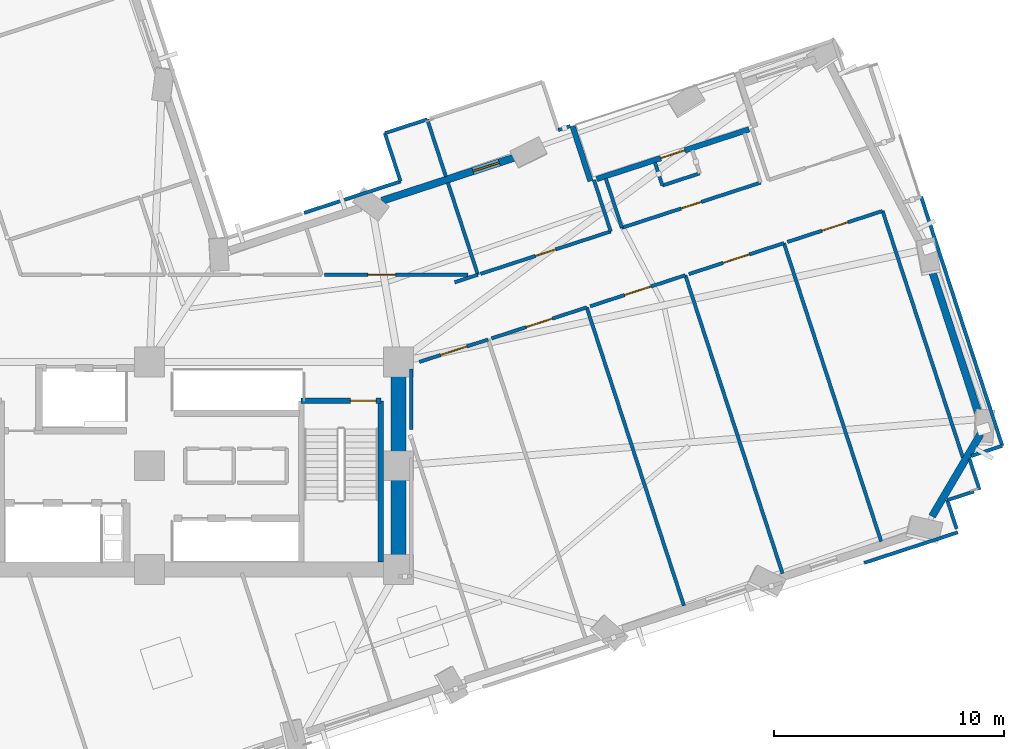
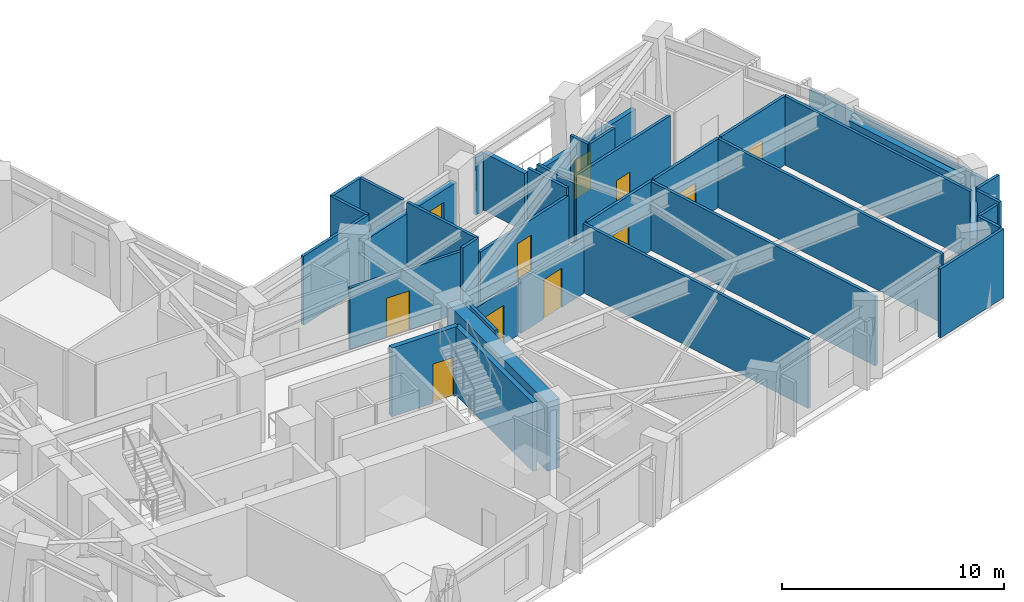
# One storey, part 9 of 16: 38 walls, 10 doors, 1 window, 11 openings.
"""IFC4 building model written with IfcOpenShell, lengths in metres."""

from ifc_helpers import new_model, si_unit, direction, frame, frame_2d, origin, place, context, subcontext, project, spatial, rectangle, extrude, material, layer, layer_set, type_object, element, fill, save


model = new_model("IFC4")

# Units and contexts
model_context = context("Model", 3, precision=1e-05, world=origin(), true_north=direction((0.0, 1.0)))
body_context = subcontext(model_context, "Body", "Model", "MODEL_VIEW")
ifc_project = project(units=[si_unit("LENGTHUNIT", "METRE"), si_unit("AREAUNIT", "SQUARE_METRE"), si_unit("VOLUMEUNIT", "CUBIC_METRE"), si_unit("PLANEANGLEUNIT", "RADIAN"), si_unit("MASSUNIT", "GRAM", prefix="KILO")], contexts=[model_context])

# Site, building, storey
site_placement = place(None, origin())
site = spatial("IfcSite", under=ifc_project, at=site_placement, CompositionType="ELEMENT")
building_placement = place(site_placement, origin())
building = spatial("IfcBuilding", under=site, at=building_placement, Name="Gaonmaruhae Medical Tower", CompositionType="ELEMENT")
storey_placement = place(building_placement, frame((0.0, 0.0, 100.39990234375)))
storey = spatial("IfcBuildingStorey", under=building, at=storey_placement, Name="L23", CompositionType="ELEMENT", Elevation=100.39990234375)

# Wall
ifc_material_1 = material(Name="Concrete C60/75", Category="concrete")
ifc_layer_1 = layer(ifc_material_1, 0.64990234375)
ifc_layer_set_1 = layer_set([ifc_layer_1], Name="Concrete C60/75")
wall_type_1 = type_object("IfcWallType", Name="CW-650 Zone 2 Core Shear Wall", PredefinedType="SHEAR", material=ifc_layer_set_1)
wall_1_placement = place(storey_placement, frame((35.60009765625, 7.800048828125, 0.0), z_axis=(0.0, 0.0, 1.0), x_axis=(0.0, 1.0, 0.0)))
element("IfcWall", 1, at=wall_1_placement, inside=storey, type_object=wall_type_1, Name="L23 Core Shear Wall CSW-E1", PredefinedType="SHEAR", context=body_context, shape_type="SweptSolid", body=[
    extrude(rectangle(XDim=9.0, YDim=0.64990234375, at=frame_2d((4.5, 0.0))), origin(), (0.0, 0.0, 1.0), 3.780029296875),
])

# Wall, opening, door
ifc_material_2 = material(Name="Precast concrete C45/55", Category="concrete")
ifc_layer_2 = layer(ifc_material_2, 0.239990234375)
ifc_layer_set_2 = layer_set([ifc_layer_2], Name="Precast concrete C45/55")
wall_type_2 = type_object("IfcWallType", Name="EW-240 Ribbon & Shelter Insulated Precast Wall", PredefinedType="SOLIDWALL", material=ifc_layer_set_2)
wall_2_placement = place(storey_placement, frame((44.1884765625, 24.73779296875, 0.0), z_axis=(0.0, 0.0, 1.0), x_axis=(0.950787586952, 0.309843451597, 0.0)))
wall_2 = element("IfcWall", 2, at=wall_2_placement, inside=storey, type_object=wall_type_2, Name="L23 Recessed Terrace Enclosure Wall TERB", PredefinedType="SOLIDWALL", context=body_context, shape_type="SweptSolid", body=[
    extrude(rectangle(XDim=6.9599609375, YDim=0.239990234375, at=frame_2d((3.47998046875, 0.0))), origin(), (0.0, 0.0, 1.0), 2.945068359375),
])
opening_1_placement = place(wall_2_placement, frame((2.929931640625, 0.0, 0.0)))
opening_1 = element("IfcOpeningElement", 3, at=opening_1_placement, cuts=wall_2, Name="Opening TD-01", PredefinedType="OPENING", context=body_context, shape_type="SweptSolid", body=[
    extrude(rectangle(XDim=1.10009765625, YDim=2.14990234375, at=frame_2d((0.550048828125, 1.074951171875))), frame((0.0, 0.1298828125, 0.0), z_axis=(0.0, -1.0, 0.0), x_axis=(1.0, 0.0, 0.0)), (0.0, 0.0, 1.0), 0.260009765625),
])
ifc_material_3 = material(Name="Anodised aluminium and toughened safety glass", Category="aluminium")
door_type_1 = type_object("IfcDoorType", Name="TD-01 Terrace & Sky Garden Glazed Door 1100x2150", OperationType="NOTDEFINED", PredefinedType="DOOR", material=ifc_material_3)
door_1_placement = place(opening_1_placement, origin())
door_1 = element("IfcDoor", 4, at=door_1_placement, inside=storey, type_object=door_type_1, Name="L23 Outdoor Terrace Access Door SLB-L23-TER", OperationType="SINGLE_SWING_LEFT", OverallHeight=2.14990234375, OverallWidth=1.10009765625, PredefinedType="DOOR", context=body_context, shape_type="SweptSolid", body=[
    extrude(rectangle(XDim=1.10009765625, YDim=2.14990234375, at=frame_2d((0.550048828125, 1.074951171875))), frame((0.0, 0.02490234375, 0.0), z_axis=(0.0, -1.0, 0.0), x_axis=(1.0, 0.0, 0.0)), (0.0, 0.0, 1.0), 0.050048828125),
])
fill(opening_1, door_1)

# Walls
wall_3_placement = place(storey_placement, frame((43.147705078125, 27.02783203125, 0.0), z_axis=(0.0, 0.0, 1.0), x_axis=(0.309774960552, -0.950809904142, 0.0)))
element("IfcWall", 5, at=wall_3_placement, inside=storey, type_object=wall_type_2, Name="L23 Recessed Terrace Enclosure Wall TERL", PredefinedType="SOLIDWALL", context=body_context, shape_type="SweptSolid", body=[
    extrude(rectangle(XDim=2.5, YDim=0.239990234375, at=frame_2d((1.25, 0.0))), origin(), (0.0, 0.0, 1.0), 3.1650390625),
])
ifc_layer_3 = layer(ifc_material_2, 0.320068359375)
ifc_layer_set_3 = layer_set([ifc_layer_3], Name="Precast concrete C45/55")
wall_type_3 = type_object("IfcWallType", Name="EW-320 Lower Precast Masonry-Frame Facade Wall", PredefinedType="SOLIDWALL", material=ifc_layer_set_3)
wall_4_placement = place(storey_placement, frame((60.84716796875, 13.67724609375, 0.0), z_axis=(0.0, 0.0, 1.0), x_axis=(-0.507532261073, -0.861632754699, 0.0)))
element("IfcWall", 6, at=wall_4_placement, inside=storey, type_object=wall_type_3, Name="L23 Precast Masonry-Frame Wall S07-E01", PredefinedType="SOLIDWALL", context=body_context, shape_type="SweptSolid", body=[
    extrude(rectangle(XDim=4.14501953125, YDim=0.320068359375, at=frame_2d((2.072509765625, 0.0))), origin(), (0.0, 0.0, 1.0), 3.1650390625),
])
wall_5_placement = place(storey_placement, frame((58.65185546875, 21.027099609375, 0.0), z_axis=(0.0, 0.0, 1.0), x_axis=(0.30984946438, -0.95078562748, 0.0)))
element("IfcWall", 7, at=wall_5_placement, inside=storey, type_object=wall_type_3, Name="L23 Precast Masonry-Frame Wall E01-E02", PredefinedType="SOLIDWALL", context=body_context, shape_type="SweptSolid", body=[
    extrude(rectangle(XDim=6.840087890625, YDim=0.320068359375, at=frame_2d((3.419921875, 0.0))), origin(), (0.0, 0.0, 1.0), 3.1650390625),
])

# Wall, opening, window
wall_6_placement = place(storey_placement, frame((34.881103515625, 23.797607421875, 0.0), z_axis=(0.0, 0.0, 1.0), x_axis=(0.950780703693, 0.309864572813, 0.0)))
wall_6 = element("IfcWall", 8, at=wall_6_placement, inside=storey, type_object=wall_type_3, Name="L23 Precast Masonry-Frame Wall EN02-EN03", PredefinedType="SOLIDWALL", context=body_context, shape_type="SweptSolid", body=[
    extrude(rectangle(XDim=6.2109375, YDim=0.320068359375, at=frame_2d((3.10546875, 0.0))), origin(), (0.0, 0.0, 1.0), 3.1650390625),
])
opening_2_placement = place(wall_6_placement, frame((4.1484375, 0.0, 0.75)))
opening_2 = element("IfcOpeningElement", 9, at=opening_2_placement, cuts=wall_6, Name="Opening WN-05", PredefinedType="OPENING", context=body_context, shape_type="SweptSolid", body=[
    extrude(rectangle(XDim=1.199951171875, YDim=1.75, at=frame_2d((0.60009765625, 0.875))), frame((0.0, 0.169921875, 0.0), z_axis=(0.0, -1.0, 0.0), x_axis=(1.0, 0.0, 0.0)), (0.0, 0.0, 1.0), 0.340087890625),
])
ifc_material_4 = material(Name="Anodised aluminium and Low-E double glazing", Category="aluminium")
window_type = type_object("IfcWindowType", Name="WN-05 Support & Staff Punched Window 1200x1750", PartitioningType="SINGLE_PANEL", PredefinedType="WINDOW", material=ifc_material_4)
window_placement = place(opening_2_placement, origin())
window = element("IfcWindow", 10, at=window_placement, inside=storey, type_object=window_type, Name="L23 Modular Facade Window EN02", OverallHeight=1.75, OverallWidth=1.199951171875, PartitioningType="SINGLE_PANEL", PredefinedType="WINDOW", context=body_context, shape_type="SweptSolid", body=[
    extrude(rectangle(XDim=1.199951171875, YDim=1.75, at=frame_2d((0.60009765625, 0.875))), frame((0.0, 0.030029296875, 0.0), z_axis=(0.0, -1.0, 0.0), x_axis=(1.0, 0.0, 0.0)), (0.0, 0.0, 1.0), 0.06005859375),
])
fill(opening_2, window)

# Wall, opening, door
ifc_material_5 = material(Name="Gypsum board partition", Category="gypsum")
ifc_layer_4 = layer(ifc_material_5, 0.14990234375)
ifc_layer_set_4 = layer_set([ifc_layer_4], Name="Gypsum board partition")
wall_type_4 = type_object("IfcWallType", Name="PW-150 Rated Clinical Corridor Partition", PredefinedType="PARTITIONING", material=ifc_layer_set_4)
wall_7_placement = place(storey_placement, frame((36.5, 16.804931640625, 0.0), z_axis=(0.0, 0.0, 1.0), x_axis=(0.950833572982, 0.30970230301, 0.0)))
wall_7 = element("IfcWall", 11, at=wall_7_placement, inside=storey, type_object=wall_type_4, Name="L23 Interior Partition L23-SUP07-18", PredefinedType="PARTITIONING", context=body_context, shape_type="SweptSolid", body=[
    extrude(rectangle(XDim=3.135009765625, YDim=0.14990234375, at=frame_2d((1.5673828125, 0.0))), origin(), (0.0, 0.0, 1.0), 2.965087890625),
])
opening_3_placement = place(wall_7_placement, frame((0.967529296875, 0.0, 0.0)))
opening_3 = element("IfcOpeningElement", 12, at=opening_3_placement, cuts=wall_7, Name="Opening CD-02", PredefinedType="OPENING", context=body_context, shape_type="SweptSolid", body=[
    extrude(rectangle(XDim=1.199951171875, YDim=2.14990234375, at=frame_2d((0.60009765625, 1.074951171875))), frame((0.0, 0.0849609375, 0.0), z_axis=(0.0, -1.0, 0.0), x_axis=(1.0, 0.0, 0.0)), (0.0, 0.0, 1.0), 0.169921875),
])
ifc_material_6 = material(Name="Antimicrobial laminate timber fire door", Category="wood")
door_type_2 = type_object("IfcDoorType", Name="CD-02 Clinical Treatment & Procedure Door 1200x2150", OperationType="NOTDEFINED", PredefinedType="DOOR", material=ifc_material_6)
door_2_placement = place(opening_3_placement, origin())
door_2 = element("IfcDoor", 13, at=door_2_placement, inside=storey, type_object=door_type_2, Name="L23 Clinical Biomedical Charting Office Door", OperationType="SINGLE_SWING_RIGHT", OverallHeight=2.14990234375, OverallWidth=1.199951171875, PredefinedType="DOOR", context=body_context, shape_type="SweptSolid", body=[
    extrude(rectangle(XDim=1.199951171875, YDim=2.14990234375, at=frame_2d((0.60009765625, 1.074951171875))), frame((0.0, 0.02490234375, 0.0), z_axis=(0.0, -1.0, 0.0), x_axis=(1.0, 0.0, 0.0)), (0.0, 0.0, 1.0), 0.050048828125),
])
fill(opening_3, door_2)

# Wall
wall_8_placement = place(storey_placement, frame((36.14990234375, 13.8759765625, 0.0), z_axis=(0.0, 0.0, 1.0), x_axis=(0.0, 1.0, 0.0)))
element("IfcWall", 14, at=wall_8_placement, inside=storey, type_object=wall_type_4, Name="L23 Interior Partition L23-SUP07-21", PredefinedType="PARTITIONING", context=body_context, shape_type="SweptSolid", body=[
    extrude(rectangle(XDim=2.6240234375, YDim=0.14990234375, at=frame_2d((1.31201171875, 0.0))), origin(), (0.0, 0.0, 1.0), 3.780029296875),
])

# Wall, opening, door
wall_9_placement = place(storey_placement, frame((39.633056640625, 17.825927734375, 0.0), z_axis=(0.0, 0.0, 1.0), x_axis=(0.950760835526, 0.309925529167, 0.0)))
wall_9 = element("IfcWall", 15, at=wall_9_placement, inside=storey, type_object=wall_type_4, Name="L23 Interior Partition L23-SUP08-22", PredefinedType="PARTITIONING", context=body_context, shape_type="SweptSolid", body=[
    extrude(rectangle(XDim=4.339599609375, YDim=0.14990234375, at=frame_2d((2.169921875, 0.0))), origin(), (0.0, 0.0, 1.0), 2.965087890625),
])
opening_4_placement = place(wall_9_placement, frame((1.56982421875, 0.0, 0.0)))
opening_4 = element("IfcOpeningElement", 16, at=opening_4_placement, cuts=wall_9, Name="Opening CD-02", PredefinedType="OPENING", context=body_context, shape_type="SweptSolid", body=[
    extrude(rectangle(XDim=1.199951171875, YDim=2.14990234375, at=frame_2d((0.60009765625, 1.074951171875))), frame((0.0, 0.0849609375, 0.0), z_axis=(0.0, -1.0, 0.0), x_axis=(1.0, 0.0, 0.0)), (0.0, 0.0, 1.0), 0.169921875),
])
door_3_placement = place(opening_4_placement, origin())
door_3 = element("IfcDoor", 17, at=door_3_placement, inside=storey, type_object=door_type_2, Name="L23 Clinical Biomedical Charting Office Door", OperationType="SINGLE_SWING_RIGHT", OverallHeight=2.14990234375, OverallWidth=1.199951171875, PredefinedType="DOOR", context=body_context, shape_type="SweptSolid", body=[
    extrude(rectangle(XDim=1.199951171875, YDim=2.14990234375, at=frame_2d((0.60009765625, 1.074951171875))), frame((0.0, 0.02490234375, 0.0), z_axis=(0.0, -1.0, 0.0), x_axis=(1.0, 0.0, 0.0)), (0.0, 0.0, 1.0), 0.050048828125),
])
fill(opening_4, door_3)

# Wall
wall_10_placement = place(storey_placement, frame((43.759033203125, 19.1708984375, 0.0), z_axis=(0.0, 0.0, 1.0), x_axis=(0.309878245527, -0.950776247573, 0.0)))
element("IfcWall", 18, at=wall_10_placement, inside=storey, type_object=wall_type_4, Name="L23 Interior Partition L23-SUP08-23", PredefinedType="PARTITIONING", context=body_context, shape_type="SweptSolid", body=[
    extrude(rectangle(XDim=13.614990234375, YDim=0.14990234375, at=frame_2d((6.8076171875, 0.0))), origin(), (0.0, 0.0, 1.0), 3.780029296875),
])

# Wall, opening, door
wall_11_placement = place(storey_placement, frame((43.910888671875, 19.219970703125, 0.0), z_axis=(0.0, 0.0, 1.0), x_axis=(0.950787843692, 0.309842663762, 0.0)))
wall_11 = element("IfcWall", 19, at=wall_11_placement, inside=storey, type_object=wall_type_4, Name="L23 Interior Partition L23-SUP09-25", PredefinedType="PARTITIONING", context=body_context, shape_type="SweptSolid", body=[
    extrude(rectangle(XDim=4.3408203125, YDim=0.14990234375, at=frame_2d((2.17041015625, 0.0))), origin(), (0.0, 0.0, 1.0), 3.780029296875),
])
opening_5_placement = place(wall_11_placement, frame((1.5703125, 0.0, 0.0)))
opening_5 = element("IfcOpeningElement", 20, at=opening_5_placement, cuts=wall_11, Name="Opening CD-02", PredefinedType="OPENING", context=body_context, shape_type="SweptSolid", body=[
    extrude(rectangle(XDim=1.199951171875, YDim=2.14990234375, at=frame_2d((0.60009765625, 1.074951171875))), frame((0.0, 0.0849609375, 0.0), z_axis=(0.0, -1.0, 0.0), x_axis=(1.0, 0.0, 0.0)), (0.0, 0.0, 1.0), 0.169921875),
])
door_4_placement = place(opening_5_placement, origin())
door_4 = element("IfcDoor", 21, at=door_4_placement, inside=storey, type_object=door_type_2, Name="L23 Clinical Biomedical Charting Office Door", OperationType="SINGLE_SWING_LEFT", OverallHeight=2.14990234375, OverallWidth=1.199951171875, PredefinedType="DOOR", context=body_context, shape_type="SweptSolid", body=[
    extrude(rectangle(XDim=1.199951171875, YDim=2.14990234375, at=frame_2d((0.60009765625, 1.074951171875))), frame((0.0, 0.02490234375, 0.0), z_axis=(0.0, -1.0, 0.0), x_axis=(1.0, 0.0, 0.0)), (0.0, 0.0, 1.0), 0.050048828125),
])
fill(opening_5, door_4)

# Wall
wall_12_placement = place(storey_placement, frame((48.0380859375, 20.56494140625, 0.0), z_axis=(0.0, 0.0, 1.0), x_axis=(0.309813403984, -0.950797378368, 0.0)))
element("IfcWall", 22, at=wall_12_placement, inside=storey, type_object=wall_type_4, Name="L23 Interior Partition L23-SUP09-26", PredefinedType="PARTITIONING", context=body_context, shape_type="SweptSolid", body=[
    extrude(rectangle(XDim=13.61474609375, YDim=0.14990234375, at=frame_2d((6.807373046875, 0.0))), origin(), (0.0, 0.0, 1.0), 3.780029296875),
])

# Wall, opening, door
wall_13_placement = place(storey_placement, frame((48.18994140625, 20.614990234375, 0.0), z_axis=(0.0, 0.0, 1.0), x_axis=(0.950827127497, 0.309722090939, 0.0)))
wall_13 = element("IfcWall", 23, at=wall_13_placement, inside=storey, type_object=wall_type_4, Name="L23 Interior Partition L23-SUP10-28", PredefinedType="PARTITIONING", context=body_context, shape_type="SweptSolid", body=[
    extrude(rectangle(XDim=4.33935546875, YDim=0.14990234375, at=frame_2d((2.169677734375, 0.0))), origin(), (0.0, 0.0, 1.0), 3.780029296875),
])
opening_6_placement = place(wall_13_placement, frame((1.569580078125, 0.0, 0.0)))
opening_6 = element("IfcOpeningElement", 24, at=opening_6_placement, cuts=wall_13, Name="Opening CD-02", PredefinedType="OPENING", context=body_context, shape_type="SweptSolid", body=[
    extrude(rectangle(XDim=1.199951171875, YDim=2.14990234375, at=frame_2d((0.60009765625, 1.074951171875))), frame((0.0, 0.0849609375, 0.0), z_axis=(0.0, -1.0, 0.0), x_axis=(1.0, 0.0, 0.0)), (0.0, 0.0, 1.0), 0.169921875),
])
door_5_placement = place(opening_6_placement, origin())
door_5 = element("IfcDoor", 25, at=door_5_placement, inside=storey, type_object=door_type_2, Name="L23 Clinical Biomedical Charting Office Door", OperationType="SINGLE_SWING_LEFT", OverallHeight=2.14990234375, OverallWidth=1.199951171875, PredefinedType="DOOR", context=body_context, shape_type="SweptSolid", body=[
    extrude(rectangle(XDim=1.199951171875, YDim=2.14990234375, at=frame_2d((0.60009765625, 1.074951171875))), frame((0.0, 0.02490234375, 0.0), z_axis=(0.0, -1.0, 0.0), x_axis=(1.0, 0.0, 0.0)), (0.0, 0.0, 1.0), 0.050048828125),
])
fill(opening_6, door_5)

# Wall
wall_14_placement = place(storey_placement, frame((52.31591796875, 21.958984375, 0.0), z_axis=(0.0, 0.0, 1.0), x_axis=(0.309872962478, -0.950777969415, 0.0)))
element("IfcWall", 26, at=wall_14_placement, inside=storey, type_object=wall_type_4, Name="L23 Interior Partition L23-SUP10-29", PredefinedType="PARTITIONING", context=body_context, shape_type="SweptSolid", body=[
    extrude(rectangle(XDim=13.615234375, YDim=0.14990234375, at=frame_2d((6.8076171875, 0.0))), origin(), (0.0, 0.0, 1.0), 3.780029296875),
])

# Wall, opening, door
wall_15_placement = place(storey_placement, frame((52.468017578125, 22.009033203125, 0.0), z_axis=(0.0, 0.0, 1.0), x_axis=(0.950782443792, 0.309859233486, 0.0)))
wall_15 = element("IfcWall", 27, at=wall_15_placement, inside=storey, type_object=wall_type_4, Name="L23 Interior Partition L23-SUP11-31", PredefinedType="PARTITIONING", context=body_context, shape_type="SweptSolid", body=[
    extrude(rectangle(XDim=4.340576171875, YDim=0.14990234375, at=frame_2d((2.17041015625, 0.0))), origin(), (0.0, 0.0, 1.0), 3.780029296875),
])
opening_7_placement = place(wall_15_placement, frame((1.5703125, 0.0, 0.0)))
opening_7 = element("IfcOpeningElement", 28, at=opening_7_placement, cuts=wall_15, Name="Opening CD-02", PredefinedType="OPENING", context=body_context, shape_type="SweptSolid", body=[
    extrude(rectangle(XDim=1.199951171875, YDim=2.14990234375, at=frame_2d((0.60009765625, 1.074951171875))), frame((0.0, 0.0849609375, 0.0), z_axis=(0.0, -1.0, 0.0), x_axis=(1.0, 0.0, 0.0)), (0.0, 0.0, 1.0), 0.169921875),
])
door_6_placement = place(opening_7_placement, origin())
door_6 = element("IfcDoor", 29, at=door_6_placement, inside=storey, type_object=door_type_2, Name="L23 Clinical Biomedical Charting Office Door", OperationType="SINGLE_SWING_LEFT", OverallHeight=2.14990234375, OverallWidth=1.199951171875, PredefinedType="DOOR", context=body_context, shape_type="SweptSolid", body=[
    extrude(rectangle(XDim=1.199951171875, YDim=2.14990234375, at=frame_2d((0.60009765625, 1.074951171875))), frame((0.0, 0.02490234375, 0.0), z_axis=(0.0, -1.0, 0.0), x_axis=(1.0, 0.0, 0.0)), (0.0, 0.0, 1.0), 0.050048828125),
])
fill(opening_7, door_6)

# Walls
wall_16_placement = place(storey_placement, frame((56.594970703125, 23.35400390625, 0.0), z_axis=(0.0, 0.0, 1.0), x_axis=(0.309852735719, -0.950784561385, 0.0)))
element("IfcWall", 30, at=wall_16_placement, inside=storey, type_object=wall_type_4, Name="L23 Interior Partition L23-SUP11-32", PredefinedType="PARTITIONING", context=body_context, shape_type="SweptSolid", body=[
    extrude(rectangle(XDim=11.26025390625, YDim=0.14990234375, at=frame_2d((5.630126953125, 0.0))), origin(), (0.0, 0.0, 1.0), 3.780029296875),
])
wall_17_placement = place(storey_placement, frame((60.56103515625, 11.18408203125, 0.0), z_axis=(0.0, 0.0, 1.0), x_axis=(-0.950594566271, -0.310435131027, 0.0)))
element("IfcWall", 31, at=wall_17_placement, inside=storey, type_object=wall_type_4, Name="L23 Interior Partition L23-SUP11-34", PredefinedType="PARTITIONING", context=body_context, shape_type="SweptSolid", body=[
    extrude(rectangle(XDim=1.215087890625, YDim=0.14990234375, at=frame_2d((0.607421875, 0.0))), origin(), (0.0, 0.0, 1.0), 3.780029296875),
])
wall_18_placement = place(storey_placement, frame((59.406005859375, 10.806884765625, 0.0), z_axis=(0.0, 0.0, 1.0), x_axis=(0.30917456398, -0.951005304395, 0.0)))
element("IfcWall", 32, at=wall_18_placement, inside=storey, type_object=wall_type_4, Name="L23 Interior Partition L23-SUP11-35", PredefinedType="PARTITIONING", context=body_context, shape_type="SweptSolid", body=[
    extrude(rectangle(XDim=1.31005859375, YDim=0.14990234375, at=frame_2d((0.655029296875, 0.0))), origin(), (0.0, 0.0, 1.0), 3.780029296875),
])

# Wall, opening, door
wall_19_placement = place(storey_placement, frame((38.611083984375, 20.580078125, 0.0), z_axis=(0.0, 0.0, 1.0), x_axis=(-1.0, 0.0, 0.0)))
wall_19 = element("IfcWall", 33, at=wall_19_placement, inside=storey, type_object=wall_type_4, Name="L23 Interior Partition L23-IE03-71", PredefinedType="PARTITIONING", context=body_context, shape_type="SweptSolid", body=[
    extrude(rectangle(XDim=6.22998046875, YDim=0.14990234375, at=frame_2d((3.114990234375, 0.0))), origin(), (0.0, 0.0, 1.0), 3.364990234375),
])
opening_8_placement = place(wall_19_placement, frame((3.14306640625, 0.0, 0.0)))
opening_8 = element("IfcOpeningElement", 34, at=opening_8_placement, cuts=wall_19, Name="Opening CD-02", PredefinedType="OPENING", context=body_context, shape_type="SweptSolid", body=[
    extrude(rectangle(XDim=1.199951171875, YDim=2.14990234375, at=frame_2d((0.60009765625, 1.074951171875))), frame((0.0, 0.0849609375, 0.0), z_axis=(0.0, -1.0, 0.0), x_axis=(1.0, 0.0, 0.0)), (0.0, 0.0, 1.0), 0.169921875),
])
door_7_placement = place(opening_8_placement, origin())
door_7 = element("IfcDoor", 35, at=door_7_placement, inside=storey, type_object=door_type_2, Name="L23 Clean Medication Preparation Room Door", OperationType="SINGLE_SWING_RIGHT", OverallHeight=2.14990234375, OverallWidth=1.199951171875, PredefinedType="DOOR", context=body_context, shape_type="SweptSolid", body=[
    extrude(rectangle(XDim=1.199951171875, YDim=2.14990234375, at=frame_2d((0.60009765625, 1.074951171875))), frame((0.0, 0.02490234375, 0.0), z_axis=(0.0, -1.0, 0.0), x_axis=(1.0, 0.0, 0.0)), (0.0, 0.0, 1.0), 0.050048828125),
])
fill(opening_8, door_7)

# Walls
wall_20_placement = place(storey_placement, frame((31.5029296875, 23.27490234375, 0.0), z_axis=(0.0, 0.0, 1.0), x_axis=(0.950751552186, 0.30995400629, 0.0)))
element("IfcWall", 36, at=wall_20_placement, inside=storey, type_object=wall_type_4, Name="L23 Interior Partition L23-IE03-72", PredefinedType="PARTITIONING", context=body_context, shape_type="SweptSolid", body=[
    extrude(rectangle(XDim=4.394287109375, YDim=0.14990234375, at=frame_2d((2.197265625, 0.0))), origin(), (0.0, 0.0, 1.0), 3.780029296875),
])
wall_21_placement = place(storey_placement, frame((35.680908203125, 24.636962890625, 0.0), z_axis=(0.0, 0.0, 1.0), x_axis=(-0.310027143269, 0.950727705727, 0.0)))
element("IfcWall", 37, at=wall_21_placement, inside=storey, type_object=wall_type_4, Name="L23 Interior Partition L23-IE03-73", PredefinedType="PARTITIONING", context=body_context, shape_type="SweptSolid", body=[
    extrude(rectangle(XDim=2.199462890625, YDim=0.14990234375, at=frame_2d((1.099609375, 0.0))), origin(), (0.0, 0.0, 1.0), 3.780029296875),
])
wall_22_placement = place(storey_placement, frame((34.9990234375, 26.72802734375, 0.0), z_axis=(0.0, 0.0, 1.0), x_axis=(0.95066765478, 0.310211234734, 0.0)))
element("IfcWall", 38, at=wall_22_placement, inside=storey, type_object=wall_type_4, Name="L23 Interior Partition L23-IE03-74", PredefinedType="PARTITIONING", context=body_context, shape_type="SweptSolid", body=[
    extrude(rectangle(XDim=1.937744140625, YDim=0.14990234375, at=frame_2d((0.96875, 0.0))), origin(), (0.0, 0.0, 1.0), 3.780029296875),
])
wall_23_placement = place(storey_placement, frame((36.841064453125, 27.3291015625, 0.0), z_axis=(0.0, 0.0, 1.0), x_axis=(0.309611562033, -0.950863124038, 0.0)))
element("IfcWall", 39, at=wall_23_placement, inside=storey, type_object=wall_type_4, Name="L23 Interior Partition L23-IE03-75", PredefinedType="PARTITIONING", context=body_context, shape_type="SweptSolid", body=[
    extrude(rectangle(XDim=2.615478515625, YDim=0.14990234375, at=frame_2d((1.3076171875, 0.0))), origin(), (0.0, 0.0, 1.0), 3.780029296875),
])
wall_24_placement = place(storey_placement, frame((37.735107421875, 24.5859375, 0.0), z_axis=(0.0, 0.0, 1.0), x_axis=(0.309863158059, -0.950781164768, 0.0)))
element("IfcWall", 40, at=wall_24_placement, inside=storey, type_object=wall_type_4, Name="L23 Interior Partition L23-IE03-76", PredefinedType="PARTITIONING", context=body_context, shape_type="SweptSolid", body=[
    extrude(rectangle(XDim=4.205078125, YDim=0.14990234375, at=frame_2d((2.1025390625, 0.0))), origin(), (0.0, 0.0, 1.0), 3.780029296875),
])
wall_25_placement = place(storey_placement, frame((39.0380859375, 20.587890625, 0.0), z_axis=(0.0, 0.0, 1.0), x_axis=(-0.950689998209, -0.310142753109, 0.0)))
element("IfcWall", 41, at=wall_25_placement, inside=storey, type_object=wall_type_4, Name="L23 Interior Partition L23-IE03-77", PredefinedType="PARTITIONING", context=body_context, shape_type="SweptSolid", body=[
    extrude(rectangle(XDim=1.060302734375, YDim=0.14990234375, at=frame_2d((0.5302734375, 0.0))), origin(), (0.0, 0.0, 1.0), 3.780029296875),
])
wall_26_placement = place(storey_placement, frame((44.073974609375, 24.699951171875, 0.0), z_axis=(0.0, 0.0, 1.0), x_axis=(0.309861333994, -0.950781759236, 0.0)))
element("IfcWall", 42, at=wall_26_placement, inside=storey, type_object=wall_type_4, Name="L23 Interior Partition L23-IE04-78", PredefinedType="PARTITIONING", context=body_context, shape_type="SweptSolid", body=[
    extrude(rectangle(XDim=2.349609375, YDim=0.14990234375, at=frame_2d((1.1748046875, 0.0))), origin(), (0.0, 0.0, 1.0), 3.364990234375),
])

# Wall, opening, door
wall_27_placement = place(storey_placement, frame((44.802001953125, 22.466064453125, 0.0), z_axis=(0.0, 0.0, 1.0), x_axis=(-0.950794053115, -0.309823608787, 0.0)))
wall_27 = element("IfcWall", 43, at=wall_27_placement, inside=storey, type_object=wall_type_4, Name="L23 Interior Partition L23-IE04-79", PredefinedType="PARTITIONING", context=body_context, shape_type="SweptSolid", body=[
    extrude(rectangle(XDim=5.9423828125, YDim=0.14990234375, at=frame_2d((2.97119140625, 0.0))), origin(), (0.0, 0.0, 1.0), 2.945068359375),
])
opening_9_placement = place(wall_27_placement, frame((2.51123046875, 0.0, 0.0)))
opening_9 = element("IfcOpeningElement", 44, at=opening_9_placement, cuts=wall_27, Name="Opening UD-01", PredefinedType="OPENING", context=body_context, shape_type="SweptSolid", body=[
    extrude(rectangle(XDim=0.919921875, YDim=2.10009765625, at=frame_2d((0.4599609375, 1.050048828125))), frame((0.0, 0.0849609375, 0.0), z_axis=(0.0, -1.0, 0.0), x_axis=(1.0, 0.0, 0.0)), (0.0, 0.0, 1.0), 0.169921875),
])
ifc_material_7 = material(Name="Powder-coated steel utility door", Category="steel")
door_type_3 = type_object("IfcDoorType", Name="UD-01 Toilet, Utility & Housekeeping Door 920x2100", OperationType="NOTDEFINED", PredefinedType="DOOR", material=ifc_material_7)
door_8_placement = place(opening_9_placement, origin())
door_8 = element("IfcDoor", 45, at=door_8_placement, inside=storey, type_object=door_type_3, Name="L23 Accessible Public Toilet Door", OperationType="SINGLE_SWING_LEFT", OverallHeight=2.10009765625, OverallWidth=0.919921875, PredefinedType="DOOR", context=body_context, shape_type="SweptSolid", body=[
    extrude(rectangle(XDim=0.919921875, YDim=2.10009765625, at=frame_2d((0.4599609375, 1.050048828125))), frame((0.0, 0.02490234375, 0.0), z_axis=(0.0, -1.0, 0.0), x_axis=(1.0, 0.0, 0.0)), (0.0, 0.0, 1.0), 0.050048828125),
])
fill(opening_9, door_8)

# Walls
wall_28_placement = place(storey_placement, frame((42.527099609375, 26.867919921875, 0.0), z_axis=(0.0, 0.0, 1.0), x_axis=(0.950390014453, 0.311060798602, 0.0)))
element("IfcWall", 46, at=wall_28_placement, inside=storey, type_object=wall_type_4, Name="L23 Interior Partition L23-IE04-82", PredefinedType="PARTITIONING", context=body_context, shape_type="SweptSolid", body=[
    extrude(rectangle(XDim=0.55322265625, YDim=0.14990234375, at=frame_2d((0.276611328125, 0.0))), origin(), (0.0, 0.0, 1.0), 3.14501953125),
])
wall_29_placement = place(storey_placement, frame((45.285888671875, 22.6240234375, 0.0), z_axis=(0.0, 0.0, 1.0), x_axis=(-0.3099525252, 0.950752035035, 0.0)))
element("IfcWall", 47, at=wall_29_placement, inside=storey, type_object=wall_type_4, Name="L23 Interior Partition L23-IE05-83", PredefinedType="PARTITIONING", context=body_context, shape_type="SweptSolid", body=[
    extrude(rectangle(XDim=2.255126953125, YDim=0.14990234375, at=frame_2d((1.12744140625, 0.0))), origin(), (0.0, 0.0, 1.0), 3.364990234375),
])
wall_30_placement = place(storey_placement, frame((46.718994140625, 25.4619140625, 0.0), z_axis=(0.0, 0.0, 1.0), x_axis=(0.309065133023, -0.951040873753, 0.0)))
element("IfcWall", 48, at=wall_30_placement, inside=storey, type_object=wall_type_4, Name="L23 Interior Partition L23-IE05-84", PredefinedType="PARTITIONING", context=body_context, shape_type="SweptSolid", body=[
    extrude(rectangle(XDim=1.054443359375, YDim=0.14990234375, at=frame_2d((0.52734375, 0.0))), origin(), (0.0, 0.0, 1.0), 3.780029296875),
])
wall_31_placement = place(storey_placement, frame((47.044921875, 24.458984375, 0.0), z_axis=(0.0, 0.0, 1.0), x_axis=(0.950772136808, 0.309890857996, 0.0)))
element("IfcWall", 49, at=wall_31_placement, inside=storey, type_object=wall_type_4, Name="L23 Interior Partition L23-IE05-85", PredefinedType="PARTITIONING", context=body_context, shape_type="SweptSolid", body=[
    extrude(rectangle(XDim=1.700927734375, YDim=0.14990234375, at=frame_2d((0.8505859375, 0.0))), origin(), (0.0, 0.0, 1.0), 3.780029296875),
])

# Wall, opening, door
wall_32_placement = place(storey_placement, frame((51.305908203125, 24.5859375, 0.0), z_axis=(0.0, 0.0, 1.0), x_axis=(-0.950782697814, -0.309858454036, 0.0)))
wall_32 = element("IfcWall", 50, at=wall_32_placement, inside=storey, type_object=wall_type_4, Name="L23 Interior Partition L23-IE05-88", PredefinedType="PARTITIONING", context=body_context, shape_type="SweptSolid", body=[
    extrude(rectangle(XDim=6.33154296875, YDim=0.14990234375, at=frame_2d((3.165771484375, 0.0))), origin(), (0.0, 0.0, 1.0), 3.780029296875),
])
opening_10_placement = place(wall_32_placement, frame((2.705810546875, 0.0, 0.0)))
opening_10 = element("IfcOpeningElement", 51, at=opening_10_placement, cuts=wall_32, Name="Opening UD-01", PredefinedType="OPENING", context=body_context, shape_type="SweptSolid", body=[
    extrude(rectangle(XDim=0.919921875, YDim=2.10009765625, at=frame_2d((0.4599609375, 1.050048828125))), frame((0.0, 0.0849609375, 0.0), z_axis=(0.0, -1.0, 0.0), x_axis=(1.0, 0.0, 0.0)), (0.0, 0.0, 1.0), 0.169921875),
])
door_9_placement = place(opening_10_placement, origin())
door_9 = element("IfcDoor", 52, at=door_9_placement, inside=storey, type_object=door_type_3, Name="L23 Ward Housekeeping and Linen Store Door", OperationType="SINGLE_SWING_RIGHT", OverallHeight=2.10009765625, OverallWidth=0.919921875, PredefinedType="DOOR", context=body_context, shape_type="SweptSolid", body=[
    extrude(rectangle(XDim=0.919921875, YDim=2.10009765625, at=frame_2d((0.4599609375, 1.050048828125))), frame((0.0, 0.02490234375, 0.0), z_axis=(0.0, -1.0, 0.0), x_axis=(1.0, 0.0, 0.0)), (0.0, 0.0, 1.0), 0.050048828125),
])
fill(opening_10, door_9)

# Walls
wall_33_placement = place(storey_placement, frame((59.861083984375, 9.408935546875, 0.0), z_axis=(0.0, 0.0, 1.0), x_axis=(-0.950794294734, -0.309822867298, 0.0)))
element("IfcWall", 53, at=wall_33_placement, inside=storey, type_object=wall_type_4, Name="L23 Interior Partition L23-RM03-111", PredefinedType="PARTITIONING", context=body_context, shape_type="SweptSolid", body=[
    extrude(rectangle(XDim=4.270263671875, YDim=0.14990234375, at=frame_2d((2.13525390625, 0.0))), origin(), (0.0, 0.0, 1.0), 3.780029296875),
])
wall_34_placement = place(storey_placement, frame((60.367919921875, 12.597900390625, 0.0), z_axis=(0.0, 0.0, 1.0), x_axis=(0.309856592632, -0.95078330444, 0.0)))
element("IfcWall", 54, at=wall_34_placement, inside=storey, type_object=wall_type_4, Name="L23 Interior Partition L23-RM03-113", PredefinedType="PARTITIONING", context=body_context, shape_type="SweptSolid", body=[
    extrude(rectangle(XDim=1.404052734375, YDim=0.14990234375, at=frame_2d((0.7021484375, 0.0))), origin(), (0.0, 0.0, 1.0), 3.780029296875),
])
wall_35_placement = place(storey_placement, frame((58.27001953125, 23.972900390625, 0.0), z_axis=(0.0, 0.0, 1.0), x_axis=(0.309862365043, -0.950781423215, 0.0)))
element("IfcWall", 55, at=wall_35_placement, inside=storey, type_object=wall_type_4, Name="L23 Interior Partition L23-RM04-115", PredefinedType="PARTITIONING", context=body_context, shape_type="SweptSolid", body=[
    extrude(rectangle(XDim=11.369384765625, YDim=0.14990234375, at=frame_2d((5.6845703125, 0.0))), origin(), (0.0, 0.0, 1.0), 3.1650390625),
])
wall_36_placement = place(storey_placement, frame((61.79296875, 13.1630859375, 0.0), z_axis=(0.0, 0.0, 1.0), x_axis=(-0.950672626568, -0.310195997871, 0.0)))
element("IfcWall", 56, at=wall_36_placement, inside=storey, type_object=wall_type_4, Name="L23 Interior Partition L23-RM04-116", PredefinedType="PARTITIONING", context=body_context, shape_type="SweptSolid", body=[
    extrude(rectangle(XDim=1.422119140625, YDim=0.14990234375, at=frame_2d((0.7109375, 0.0))), origin(), (0.0, 0.0, 1.0), 3.780029296875),
])

# Wall, opening, door
ifc_material_8 = material(Name="Concrete C50/60", Category="concrete")
ifc_layer_5 = layer(ifc_material_8, 0.239990234375)
ifc_layer_set_5 = layer_set([ifc_layer_5], Name="Concrete C50/60")
wall_type_5 = type_object("IfcWallType", Name="SW-240 Dogleg Stair Tight Shaft Wall", PredefinedType="SOLIDWALL", material=ifc_layer_set_5)
wall_37_placement = place(storey_placement, frame((31.3701171875, 15.1201171875, 0.0), z_axis=(0.0, 0.0, 1.0), x_axis=(1.0, 0.0, 0.0)))
wall_37 = element("IfcWall", 57, at=wall_37_placement, inside=storey, type_object=wall_type_5, Name="L23 ST-02 Stair Shaft Wall SHW-ST-02-N", PredefinedType="SOLIDWALL", context=body_context, shape_type="SweptSolid", body=[
    extrude(rectangle(XDim=3.4599609375, YDim=0.239990234375, at=frame_2d((1.72998046875, 0.0))), origin(), (0.0, 0.0, 1.0), 3.780029296875),
])
opening_11_placement = place(wall_37_placement, frame((2.139892578125, 0.0, 0.0)))
opening_11 = element("IfcOpeningElement", 58, at=opening_11_placement, cuts=wall_37, Name="Opening FD-01", PredefinedType="OPENING", context=body_context, shape_type="SweptSolid", body=[
    extrude(rectangle(XDim=1.10009765625, YDim=2.14990234375, at=frame_2d((0.550048828125, 1.074951171875))), frame((0.0, 0.1298828125, 0.0), z_axis=(0.0, -1.0, 0.0), x_axis=(1.0, 0.0, 0.0)), (0.0, 0.0, 1.0), 0.260009765625),
])
ifc_material_9 = material(Name="Powder-coated steel fire door", Category="steel")
door_type_4 = type_object("IfcDoorType", Name="FD-01 Escape Stair Protected Fire Door 1100x2150", OperationType="NOTDEFINED", PredefinedType="DOOR", material=ifc_material_9)
door_10_placement = place(opening_11_placement, origin())
door_10 = element("IfcDoor", 59, at=door_10_placement, inside=storey, type_object=door_type_4, Name="L23 ST-02 Protected Escape Stair Door", OperationType="SINGLE_SWING_RIGHT", OverallHeight=2.14990234375, OverallWidth=1.10009765625, PredefinedType="DOOR", context=body_context, shape_type="SweptSolid", body=[
    extrude(rectangle(XDim=1.10009765625, YDim=2.14990234375, at=frame_2d((0.550048828125, 1.074951171875))), frame((0.0, 0.02490234375, 0.0), z_axis=(0.0, -1.0, 0.0), x_axis=(1.0, 0.0, 0.0)), (0.0, 0.0, 1.0), 0.050048828125),
])
fill(opening_11, door_10)

# Wall
wall_38_placement = place(storey_placement, frame((34.830078125, 15.1201171875, 0.0), z_axis=(0.0, 0.0, 1.0), x_axis=(0.0, -1.0, 0.0)))
element("IfcWall", 60, at=wall_38_placement, inside=storey, type_object=wall_type_5, Name="L23 ST-02 Stair Shaft Wall SHW-ST-02-E", PredefinedType="SOLIDWALL", context=body_context, shape_type="SweptSolid", body=[
    extrude(rectangle(XDim=6.9951171875, YDim=0.239990234375, at=frame_2d((3.49755859375, 0.0))), origin(), (0.0, 0.0, 1.0), 3.780029296875),
])

save(model, "model.ifc")
